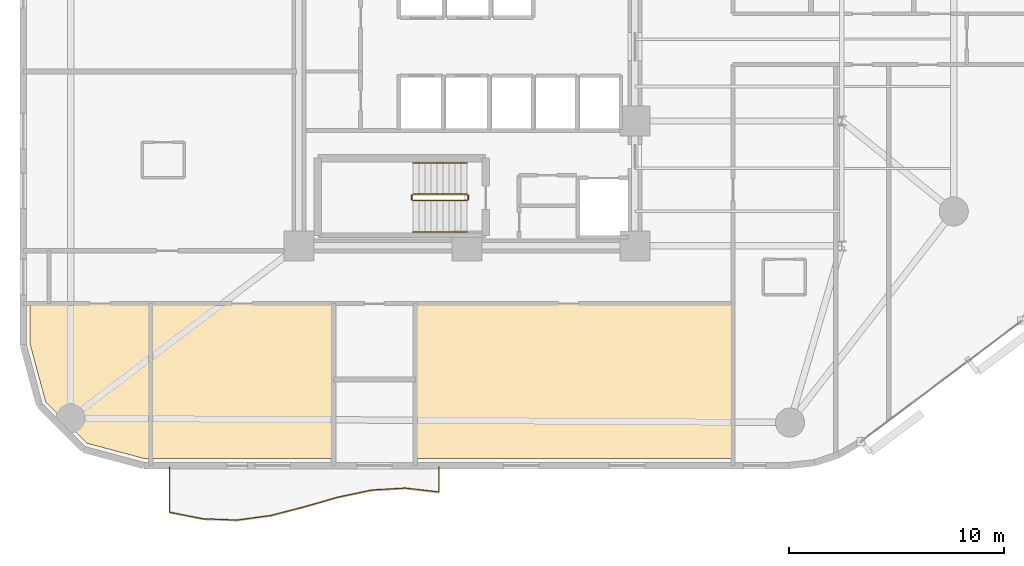
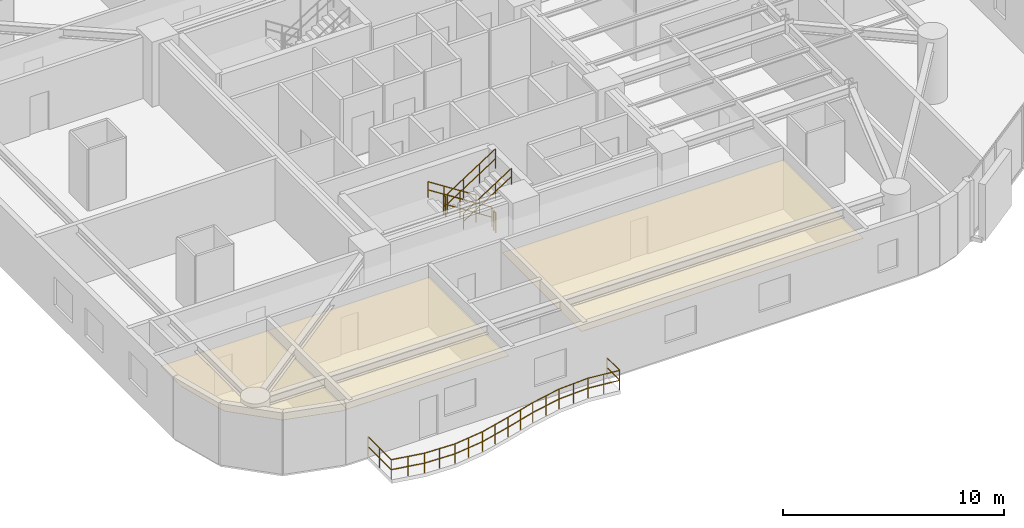
# One storey, part 12 of 14: 7 railings, 3 coverings.
"""IFC4 building model written with IfcOpenShell, lengths in metres."""

from ifc_helpers import new_model, si_unit, direction, frame, origin, origin_2d, place, context, subcontext, project, spatial, polyline, circle, outline, extrude, material, layer, layer_set, type_object, element, save


model = new_model("IFC4")

# Units and contexts
model_context = context("Model", 3, precision=1e-05, world=origin(), true_north=direction((0.0, 1.0)))
body_context = subcontext(model_context, "Body", "Model", "MODEL_VIEW")
ifc_project = project(units=[si_unit("LENGTHUNIT", "METRE"), si_unit("AREAUNIT", "SQUARE_METRE"), si_unit("VOLUMEUNIT", "CUBIC_METRE"), si_unit("PLANEANGLEUNIT", "RADIAN"), si_unit("MASSUNIT", "GRAM", prefix="KILO")], contexts=[model_context])

# Site, building, storey
site_placement = place(None, origin())
site = spatial("IfcSite", under=ifc_project, at=site_placement, CompositionType="ELEMENT")
building_placement = place(site_placement, origin())
building = spatial("IfcBuilding", under=site, at=building_placement, Name="An Khanh Terracotta Commons", CompositionType="ELEMENT")
storey_placement = place(building_placement, frame((0.0, 0.0, 93.5)))
storey = spatial("IfcBuildingStorey", under=building, at=storey_placement, Name="L24", CompositionType="ELEMENT", Elevation=93.5)

# Coverings
ifc_material_1 = material(Name="Perforated Mineral-Fibre Acoustic Tile")
ifc_layer = layer(ifc_material_1, 0.02001953125, Name="Perforated Mineral-Fibre Acoustic Tile")
ifc_layer_set = layer_set([ifc_layer], Name="Perforated Mineral-Fibre Acoustic Tile")
covering_type = type_object("IfcCoveringType", Name="CEIL-ACOUSTIC-18", PredefinedType="CEILING", material=ifc_layer_set)
covering_1_placement = place(storey_placement, frame((0.0, 0.0, 2.64990234375)))
element("IfcCovering", 1, at=covering_1_placement, inside=storey, type_object=covering_type, Name="L24 Academic Seminar Room Ceiling", PredefinedType="CEILING", context=body_context, shape_type="SweptSolid", body=[
    extrude(outline(polyline([(14.44189453125, 4.52001953125), (11.76611328125, 5.237060546875), (9.8369140625, 7.166015625), (9.1201171875, 9.842041015625), (9.1201171875, 11.719970703125), (10.0, 11.719970703125), (14.721923828125, 11.719970703125), (14.721923828125, 4.52001953125), (14.44189453125, 4.52001953125)])), origin(), (0.0, 0.0, 1.0), 0.02001953125),
])
covering_2_placement = place(storey_placement, frame((0.0, 0.0, 2.64990234375)))
element("IfcCovering", 2, at=covering_2_placement, inside=storey, type_object=covering_type, Name="L24 Academic Seminar Room Ceiling", PredefinedType="CEILING", context=body_context, shape_type="SweptSolid", body=[
    extrude(outline(polyline([(14.721923828125, 4.52001953125), (14.721923828125, 11.719970703125), (23.199951171875, 11.719970703125), (23.199951171875, 8.199951171875), (23.199951171875, 4.52001953125), (14.721923828125, 4.52001953125)])), origin(), (0.0, 0.0, 1.0), 0.02001953125),
])
covering_3_placement = place(storey_placement, frame((0.0, 0.0, 2.64990234375)))
element("IfcCovering", 3, at=covering_3_placement, inside=storey, type_object=covering_type, Name="L24 Academic Seminar Room Ceiling", PredefinedType="CEILING", context=body_context, shape_type="SweptSolid", body=[
    extrude(outline(polyline([(27.0, 4.52001953125), (27.0, 8.199951171875), (27.0, 11.719970703125), (37.5, 11.719970703125), (41.75, 11.719970703125), (41.75, 4.52001953125), (27.0, 4.52001953125)])), origin(), (0.0, 0.0, 1.0), 0.02001953125),
])

# Railings
ifc_material_2 = material(Name="Brushed Stainless Steel 316", Category="steel")
railing_type_1 = type_object("IfcRailingType", Name="RAIL-BALUSTRADE-1100", PredefinedType="BALUSTRADE", material=ifc_material_2)
railing_1_placement = place(storey_placement, frame((15.60009765625, 4.139892578125, 0.0)))
element("IfcRailing", 4, at=railing_1_placement, inside=storey, type_object=railing_type_1, Name="L24 S Wave Balcony Guard Balustrade", PredefinedType="BALUSTRADE", context=body_context, shape_type="SweptSolid", body=[
    extrude(circle(Radius=0.02392578125, at=origin_2d()), frame((0.0, 0.0, 1.076171875), z_axis=(0.0, -1.0, 0.0), x_axis=(1.0, 0.0, 0.0)), (0.0, 0.0, 1.0), 2.10498046875),
    extrude(circle(Radius=0.02392578125, at=origin_2d()), frame((0.0, 0.0, 0.52587890625), z_axis=(0.0, -1.0, 0.0), x_axis=(1.0, 0.0, 0.0)), (0.0, 0.0, 1.0), 2.10498046875),
    extrude(circle(Radius=0.02392578125, at=origin_2d()), frame((0.0, -2.10498046875, 1.076171875), z_axis=(0.981380093501, -0.192075797744, 0.0), x_axis=(0.192075797744, 0.981380093501, 0.0)), (0.0, 0.0, 1.0), 1.592529296875),
    extrude(circle(Radius=0.02392578125, at=origin_2d()), frame((0.0, -2.10498046875, 0.52587890625), z_axis=(0.981380093501, -0.192075797744, 0.0), x_axis=(0.192075797744, 0.981380093501, 0.0)), (0.0, 0.0, 1.0), 1.592529296875),
    extrude(circle(Radius=0.02392578125, at=origin_2d()), frame((1.56298828125, -2.410888671875, 1.076171875), z_axis=(0.999337536962, -0.036393505175, 0.0), x_axis=(0.036393505175, 0.999337536962, 0.0)), (0.0, 0.0, 1.0), 1.56298828125),
    extrude(circle(Radius=0.02392578125, at=origin_2d()), frame((1.56298828125, -2.410888671875, 0.52587890625), z_axis=(0.999337536962, -0.036393505175, 0.0), x_axis=(0.036393505175, 0.999337536962, 0.0)), (0.0, 0.0, 1.0), 1.56298828125),
    extrude(circle(Radius=0.02392578125, at=origin_2d()), frame((3.125, -2.4677734375, 1.076171875), z_axis=(0.990933485339, 0.134353368521, 0.0), x_axis=(-0.134353368521, 0.990933485339, 0.0)), (0.0, 0.0, 1.0), 1.577392578125),
    extrude(circle(Radius=0.02392578125, at=origin_2d()), frame((3.125, -2.4677734375, 0.52587890625), z_axis=(0.990933485339, 0.134353368521, 0.0), x_axis=(-0.134353368521, 0.990933485339, 0.0)), (0.0, 0.0, 1.0), 1.577392578125),
    extrude(circle(Radius=0.02392578125, at=origin_2d()), frame((4.68798828125, -2.255859375, 1.076171875), z_axis=(0.968134261873, 0.250431729196, 0.0), x_axis=(-0.250431729196, 0.968134261873, 0.0)), (0.0, 0.0, 1.0), 1.613525390625),
    extrude(circle(Radius=0.02392578125, at=origin_2d()), frame((4.68798828125, -2.255859375, 0.52587890625), z_axis=(0.968134261873, 0.250431729196, 0.0), x_axis=(-0.250431729196, 0.968134261873, 0.0)), (0.0, 0.0, 1.0), 1.613525390625),
    extrude(circle(Radius=0.02392578125, at=origin_2d()), frame((6.25, -1.851806640625, 1.076171875), z_axis=(0.961291288809, 0.275534132297, 0.0), x_axis=(-0.275534132297, 0.961291288809, 0.0)), (0.0, 0.0, 1.0), 1.6259765625),
    extrude(circle(Radius=0.02392578125, at=origin_2d()), frame((6.25, -1.851806640625, 0.52587890625), z_axis=(0.961291288809, 0.275534132297, 0.0), x_axis=(-0.275534132297, 0.961291288809, 0.0)), (0.0, 0.0, 1.0), 1.6259765625),
    extrude(circle(Radius=0.02392578125, at=origin_2d()), frame((7.81298828125, -1.40380859375, 1.076171875), z_axis=(0.978424667616, 0.206603895897, 0.0), x_axis=(-0.206603895897, 0.978424667616, 0.0)), (0.0, 0.0, 1.0), 1.596435546875),
    extrude(circle(Radius=0.02392578125, at=origin_2d()), frame((7.81298828125, -1.40380859375, 0.52587890625), z_axis=(0.978424667616, 0.206603895897, 0.0), x_axis=(-0.206603895897, 0.978424667616, 0.0)), (0.0, 0.0, 1.0), 1.596435546875),
    extrude(circle(Radius=0.02392578125, at=origin_2d()), frame((9.375, -1.073974609375, 1.076171875), z_axis=(0.998343044129, 0.057542734034, 0.0), x_axis=(-0.057542734034, 0.998343044129, 0.0)), (0.0, 0.0, 1.0), 1.565673828125),
    extrude(circle(Radius=0.02392578125, at=origin_2d()), frame((9.375, -1.073974609375, 0.52587890625), z_axis=(0.998343044129, 0.057542734034, 0.0), x_axis=(-0.057542734034, 0.998343044129, 0.0)), (0.0, 0.0, 1.0), 1.565673828125),
    extrude(circle(Radius=0.02392578125, at=origin_2d()), frame((10.93798828125, -0.98388671875, 1.076171875), z_axis=(0.993288727439, -0.115661160041, 0.0), x_axis=(0.115661160041, 0.993288727439, 0.0)), (0.0, 0.0, 1.0), 1.572509765625),
    extrude(circle(Radius=0.02392578125, at=origin_2d()), frame((10.93798828125, -0.98388671875, 0.52587890625), z_axis=(0.993288727439, -0.115661160041, 0.0), x_axis=(0.115661160041, 0.993288727439, 0.0)), (0.0, 0.0, 1.0), 1.572509765625),
    extrude(circle(Radius=0.02392578125, at=origin_2d()), frame((12.5, -1.165771484375, 1.076171875), z_axis=(0.0, 1.0, 0.0), x_axis=(-1.0, 0.0, 0.0)), (0.0, 0.0, 1.0), 1.165771484375),
    extrude(circle(Radius=0.02392578125, at=origin_2d()), frame((12.5, -1.165771484375, 0.52587890625), z_axis=(0.0, 1.0, 0.0), x_axis=(-1.0, 0.0, 0.0)), (0.0, 0.0, 1.0), 1.165771484375),
    extrude(circle(Radius=0.02099609375, at=origin_2d()), origin(), (0.0, 0.0, 1.0), 1.052001953125),
    extrude(circle(Radius=0.02099609375, at=origin_2d()), frame((0.0, -1.052490234375, 0.0)), (0.0, 0.0, 1.0), 1.052001953125),
    extrude(circle(Radius=0.02099609375, at=origin_2d()), frame((0.0, -2.10498046875, 0.0)), (0.0, 0.0, 1.0), 1.052001953125),
    extrude(circle(Radius=0.02099609375, at=origin_2d()), frame((0.781494140625, -2.2578125, 0.0)), (0.0, 0.0, 1.0), 1.052001953125),
    extrude(circle(Radius=0.02099609375, at=origin_2d()), frame((1.56298828125, -2.410888671875, 0.0)), (0.0, 0.0, 1.0), 1.052001953125),
    extrude(circle(Radius=0.02099609375, at=origin_2d()), frame((2.343994140625, -2.439453125, 0.0)), (0.0, 0.0, 1.0), 1.052001953125),
    extrude(circle(Radius=0.02099609375, at=origin_2d()), frame((3.125, -2.4677734375, 0.0)), (0.0, 0.0, 1.0), 1.052001953125),
    extrude(circle(Radius=0.02099609375, at=origin_2d()), frame((3.906494140625, -2.36181640625, 0.0)), (0.0, 0.0, 1.0), 1.052001953125),
    extrude(circle(Radius=0.02099609375, at=origin_2d()), frame((4.68798828125, -2.255859375, 0.0)), (0.0, 0.0, 1.0), 1.052001953125),
    extrude(circle(Radius=0.02099609375, at=origin_2d()), frame((5.468994140625, -2.0537109375, 0.0)), (0.0, 0.0, 1.0), 1.052001953125),
    extrude(circle(Radius=0.02099609375, at=origin_2d()), frame((6.25, -1.851806640625, 0.0)), (0.0, 0.0, 1.0), 1.052001953125),
    extrude(circle(Radius=0.02099609375, at=origin_2d()), frame((7.031494140625, -1.6279296875, 0.0)), (0.0, 0.0, 1.0), 1.052001953125),
    extrude(circle(Radius=0.02099609375, at=origin_2d()), frame((7.81298828125, -1.40380859375, 0.0)), (0.0, 0.0, 1.0), 1.052001953125),
    extrude(circle(Radius=0.02099609375, at=origin_2d()), frame((8.593994140625, -1.23876953125, 0.0)), (0.0, 0.0, 1.0), 1.052001953125),
    extrude(circle(Radius=0.02099609375, at=origin_2d()), frame((9.375, -1.073974609375, 0.0)), (0.0, 0.0, 1.0), 1.052001953125),
    extrude(circle(Radius=0.02099609375, at=origin_2d()), frame((10.156494140625, -1.02880859375, 0.0)), (0.0, 0.0, 1.0), 1.052001953125),
    extrude(circle(Radius=0.02099609375, at=origin_2d()), frame((10.93798828125, -0.98388671875, 0.0)), (0.0, 0.0, 1.0), 1.052001953125),
    extrude(circle(Radius=0.02099609375, at=origin_2d()), frame((11.718994140625, -1.07470703125, 0.0)), (0.0, 0.0, 1.0), 1.052001953125),
    extrude(circle(Radius=0.02099609375, at=origin_2d()), frame((12.5, -1.165771484375, 0.0)), (0.0, 0.0, 1.0), 1.052001953125),
    extrude(circle(Radius=0.02099609375, at=origin_2d()), frame((12.5, 0.0, 0.0)), (0.0, 0.0, 1.0), 1.052001953125),
])
railing_type_2 = type_object("IfcRailingType", Name="RAIL-HANDRAIL-900", PredefinedType="HANDRAIL", material=ifc_material_2)
railing_2_placement = place(storey_placement, frame((29.409912109375, 18.25, 0.179931640625)))
element("IfcRailing", 5, at=railing_2_placement, inside=storey, type_object=railing_type_2, Name="L24 ST-02 stair handrail 1", PredefinedType="HANDRAIL", context=body_context, shape_type="SweptSolid", body=[
    extrude(circle(Radius=0.02392578125, at=origin_2d()), frame((0.0, 0.0, 0.8759765625), z_axis=(-0.841162588446, 0.0, 0.540782303519), x_axis=(0.0, -1.0, 0.0)), (0.0, 0.0, 1.0), 2.995849609375),
    extrude(circle(Radius=0.02392578125, at=origin_2d()), frame((0.0, 0.0, 0.42578125), z_axis=(-0.841162588446, 0.0, 0.540782303519), x_axis=(0.0, -1.0, 0.0)), (0.0, 0.0, 1.0), 2.995849609375),
    extrude(circle(Radius=0.02099609375, at=origin_2d()), origin(), (0.0, 0.0, 1.0), 0.851806640625),
    extrude(circle(Radius=0.02099609375, at=origin_2d()), frame((-0.840087890625, 0.0, 0.5400390625)), (0.0, 0.0, 1.0), 0.851806640625),
    extrude(circle(Radius=0.02099609375, at=origin_2d()), frame((-1.679931640625, 0.0, 1.080078125)), (0.0, 0.0, 1.0), 0.851806640625),
    extrude(circle(Radius=0.02099609375, at=origin_2d()), frame((-2.52001953125, 0.0, 1.6201171875)), (0.0, 0.0, 1.0), 0.851806640625),
])
railing_3_placement = place(storey_placement, frame((26.889892578125, 15.050048828125, 1.97998046875)))
element("IfcRailing", 6, at=railing_3_placement, inside=storey, type_object=railing_type_2, Name="L24 ST-02 stair handrail 2", PredefinedType="HANDRAIL", context=body_context, shape_type="SweptSolid", body=[
    extrude(circle(Radius=0.02392578125, at=origin_2d()), frame((0.0, 0.0, 0.8759765625), z_axis=(0.841162588446, 0.0, 0.540782303519), x_axis=(0.0, 1.0, 0.0)), (0.0, 0.0, 1.0), 2.995849609375),
    extrude(circle(Radius=0.02392578125, at=origin_2d()), frame((0.0, 0.0, 0.42578125), z_axis=(0.841162588446, 0.0, 0.540782303519), x_axis=(0.0, 1.0, 0.0)), (0.0, 0.0, 1.0), 2.995849609375),
    extrude(circle(Radius=0.02099609375, at=origin_2d()), origin(), (0.0, 0.0, 1.0), 0.851806640625),
    extrude(circle(Radius=0.02099609375, at=origin_2d()), frame((0.840087890625, 0.0, 0.5400390625)), (0.0, 0.0, 1.0), 0.851806640625),
    extrude(circle(Radius=0.02099609375, at=origin_2d()), frame((1.679931640625, 0.0, 1.080078125)), (0.0, 0.0, 1.0), 0.851806640625),
    extrude(circle(Radius=0.02099609375, at=origin_2d()), frame((2.52001953125, 0.0, 1.6201171875)), (0.0, 0.0, 1.0), 0.851806640625),
])
ifc_material_3 = material(Name="Powder-Coated Steel S355J2", Category="steel")
railing_type_3 = type_object("IfcRailingType", Name="RAIL-STAIR-GUARD-1100", PredefinedType="BALUSTRADE", material=ifc_material_3)
railing_4_placement = place(storey_placement, frame((29.409912109375, 16.800048828125, 0.179931640625)))
element("IfcRailing", 7, at=railing_4_placement, inside=storey, type_object=railing_type_3, Name="L24 ST-02 stair guard 1", PredefinedType="BALUSTRADE", context=body_context, shape_type="SweptSolid", body=[
    extrude(circle(Radius=0.02392578125, at=origin_2d()), frame((0.0, 0.0, 1.076171875), z_axis=(-0.841162588446, 0.0, 0.540782303519), x_axis=(0.0, -1.0, 0.0)), (0.0, 0.0, 1.0), 2.995849609375),
    extrude(circle(Radius=0.02392578125, at=origin_2d()), frame((0.0, 0.0, 0.52587890625), z_axis=(-0.841162588446, 0.0, 0.540782303519), x_axis=(0.0, -1.0, 0.0)), (0.0, 0.0, 1.0), 2.995849609375),
    extrude(circle(Radius=0.02099609375, at=origin_2d()), origin(), (0.0, 0.0, 1.0), 1.052001953125),
    extrude(circle(Radius=0.02099609375, at=origin_2d()), frame((-0.840087890625, 0.0, 0.5400390625)), (0.0, 0.0, 1.0), 1.052001953125),
    extrude(circle(Radius=0.02099609375, at=origin_2d()), frame((-1.679931640625, 0.0, 1.080078125)), (0.0, 0.0, 1.0), 1.052001953125),
    extrude(circle(Radius=0.02099609375, at=origin_2d()), frame((-2.52001953125, 0.0, 1.6201171875)), (0.0, 0.0, 1.0), 1.052001953125),
])
railing_5_placement = place(storey_placement, frame((26.840087890625, 16.75, 1.800048828125)))
element("IfcRailing", 8, at=railing_5_placement, inside=storey, type_object=railing_type_3, Name="L24 ST-02 stair guard 2", PredefinedType="BALUSTRADE", context=body_context, shape_type="SweptSolid", body=[
    extrude(circle(Radius=0.02392578125, at=origin_2d()), frame((0.0, 0.0, 1.076171875), z_axis=(0.0, -1.0, 0.0), x_axis=(1.0, 0.0, 0.0)), (0.0, 0.0, 1.0), 0.199951171875),
    extrude(circle(Radius=0.02392578125, at=origin_2d()), frame((0.0, 0.0, 0.52587890625), z_axis=(0.0, -1.0, 0.0), x_axis=(1.0, 0.0, 0.0)), (0.0, 0.0, 1.0), 0.199951171875),
    extrude(circle(Radius=0.02099609375, at=origin_2d()), origin(), (0.0, 0.0, 1.0), 1.052001953125),
    extrude(circle(Radius=0.02099609375, at=origin_2d()), frame((0.0, -0.199951171875, 0.0)), (0.0, 0.0, 1.0), 1.052001953125),
])
railing_6_placement = place(storey_placement, frame((26.889892578125, 16.5, 1.97998046875)))
element("IfcRailing", 9, at=railing_6_placement, inside=storey, type_object=railing_type_3, Name="L24 ST-02 stair guard 3", PredefinedType="BALUSTRADE", context=body_context, shape_type="SweptSolid", body=[
    extrude(circle(Radius=0.02392578125, at=origin_2d()), frame((0.0, 0.0, 1.076171875), z_axis=(0.841162588446, 0.0, 0.540782303519), x_axis=(0.0, 1.0, 0.0)), (0.0, 0.0, 1.0), 2.995849609375),
    extrude(circle(Radius=0.02392578125, at=origin_2d()), frame((0.0, 0.0, 0.52587890625), z_axis=(0.841162588446, 0.0, 0.540782303519), x_axis=(0.0, 1.0, 0.0)), (0.0, 0.0, 1.0), 2.995849609375),
    extrude(circle(Radius=0.02099609375, at=origin_2d()), origin(), (0.0, 0.0, 1.0), 1.052001953125),
    extrude(circle(Radius=0.02099609375, at=origin_2d()), frame((0.840087890625, 0.0, 0.5400390625)), (0.0, 0.0, 1.0), 1.052001953125),
    extrude(circle(Radius=0.02099609375, at=origin_2d()), frame((1.679931640625, 0.0, 1.080078125)), (0.0, 0.0, 1.0), 1.052001953125),
    extrude(circle(Radius=0.02099609375, at=origin_2d()), frame((2.52001953125, 0.0, 1.6201171875)), (0.0, 0.0, 1.0), 1.052001953125),
])
railing_7_placement = place(storey_placement, frame((29.4599609375, 16.75, 0.0)))
element("IfcRailing", 10, at=railing_7_placement, inside=storey, type_object=railing_type_3, Name="L24 ST-02 stair guard 4", PredefinedType="BALUSTRADE", context=body_context, shape_type="SweptSolid", body=[
    extrude(circle(Radius=0.02392578125, at=origin_2d()), frame((0.0, 0.0, 1.076171875), z_axis=(0.0, -1.0, 0.0), x_axis=(1.0, 0.0, 0.0)), (0.0, 0.0, 1.0), 0.199951171875),
    extrude(circle(Radius=0.02392578125, at=origin_2d()), frame((0.0, 0.0, 0.52587890625), z_axis=(0.0, -1.0, 0.0), x_axis=(1.0, 0.0, 0.0)), (0.0, 0.0, 1.0), 0.199951171875),
    extrude(circle(Radius=0.02099609375, at=origin_2d()), origin(), (0.0, 0.0, 1.0), 1.052001953125),
    extrude(circle(Radius=0.02099609375, at=origin_2d()), frame((0.0, -0.199951171875, 0.0)), (0.0, 0.0, 1.0), 1.052001953125),
])

save(model, "model.ifc")
